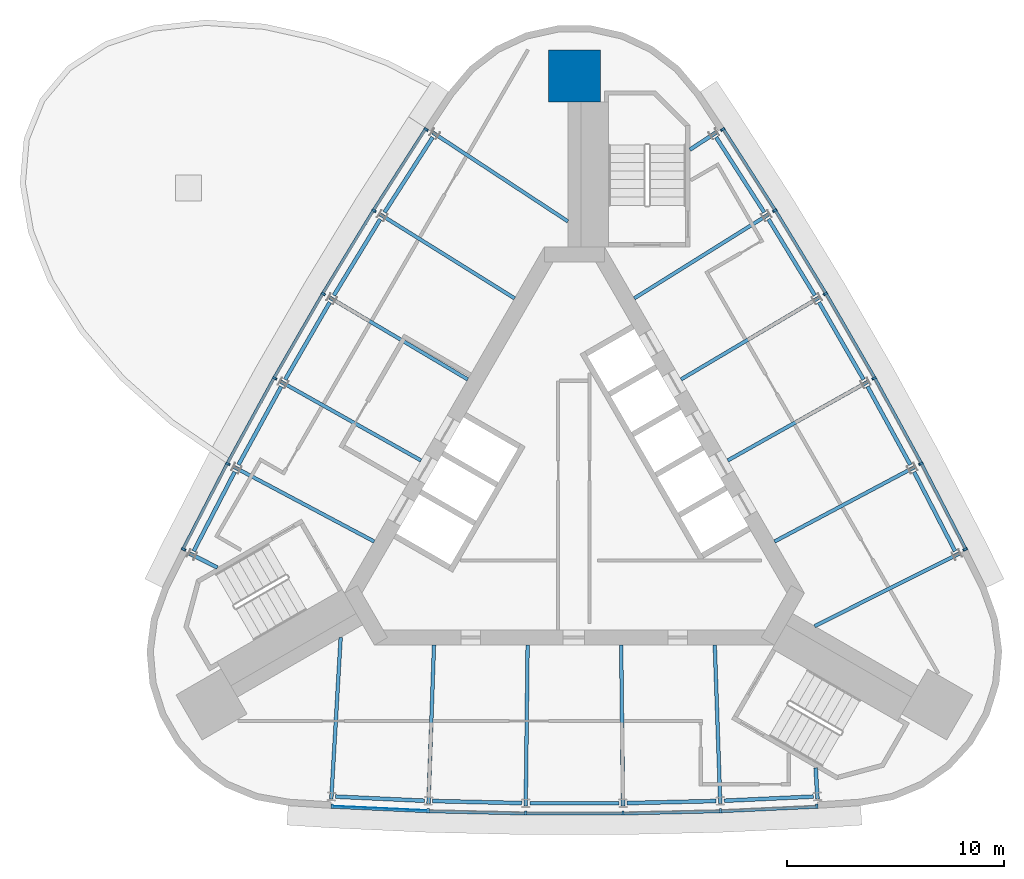
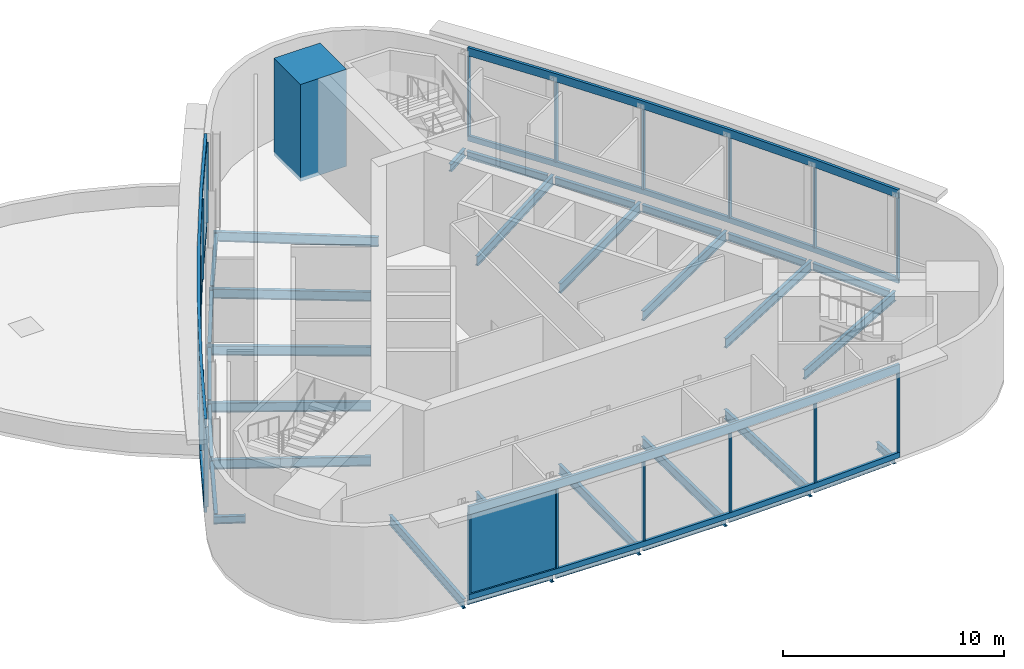
# One storey, part 2 of 8: 33 beams, 24 members, 1 column, 1 plate, 3 elements without a shape of their own.
"""IFC4 building model written with IfcOpenShell, lengths in metres."""

from ifc_helpers import new_model, si_unit, direction, frame, origin, origin_2d, place, context, subcontext, project, spatial, polyline, rectangle, i_section, outline, extrude, material, layer, layer_set, material_profile, profile_set, type_object, element, aggregate, save


model = new_model("IFC4")

# Units and contexts
model_context = context("Model", 3, precision=1e-05, world=origin(), true_north=direction((0.0, 1.0)))
body_context = subcontext(model_context, "Body", "Model", "MODEL_VIEW")
ifc_project = project(units=[si_unit("LENGTHUNIT", "METRE"), si_unit("AREAUNIT", "SQUARE_METRE"), si_unit("VOLUMEUNIT", "CUBIC_METRE"), si_unit("PLANEANGLEUNIT", "RADIAN"), si_unit("MASSUNIT", "GRAM", prefix="KILO")], contexts=[model_context])

# Site, building, storey
site_placement = place(None, origin())
site = spatial("IfcSite", under=ifc_project, at=site_placement, CompositionType="ELEMENT")
building_placement = place(site_placement, origin())
building = spatial("IfcBuilding", under=site, at=building_placement, Name="Noor Cloister Tower", CompositionType="ELEMENT")
storey_placement = place(building_placement, frame((0.0, 0.0, 274.199951171875)))
storey = spatial("IfcBuildingStorey", under=building, at=storey_placement, Name="L70", CompositionType="ELEMENT", Elevation=274.199951171875)

# Column
ifc_material_1 = material(Name="Concrete C60/75", Category="concrete")
ifc_material_profile_1 = material_profile(ifc_material_1, rectangle(XDim=2.39990234375, YDim=2.39990234375, at=origin_2d()), Name="RC 2400x2400")
ifc_profile_set_1 = profile_set([ifc_material_profile_1], Name="Concrete C60/75")
column_type = type_object("IfcColumnType", Name="Corner pier 2400 x 2400 C60/75", PredefinedType="COLUMN", material=ifc_profile_set_1)
column_placement = place(storey_placement, frame((0.0, 19.3349609375, -0.199951171875), z_axis=(0.0, 0.0, 1.0), x_axis=(0.0, 1.0, 0.0)))
element("IfcColumn", 1, at=column_placement, inside=storey, type_object=column_type, Name="Corner pier N L70", PredefinedType="COLUMN", context=body_context, shape_type="SweptSolid", body=[
    extrude(rectangle(XDim=2.39990234375, YDim=2.39990234375, at=origin_2d()), origin(), (0.0, 0.0, 1.0), 5.35009765625),
])

# Curtain wall, member
ifc_material_2 = material(Name="Aluminium 6063-T6 anodised", Category="aluminium")
curtain_wall_type = type_object("IfcCurtainWallType", Name="Full height glass wall, sky lobby and observation deck CW3", PredefinedType="NOTDEFINED", material=ifc_material_2)
curtain_wall_1_placement = place(storey_placement, origin())
curtain_wall_1 = element("IfcCurtainWall", 2, at=curtain_wall_1_placement, inside=storey, type_object=curtain_wall_type, Name="CW3 L70 NW run 1", PredefinedType="NOTDEFINED")
ifc_material_3 = material(Name="Aluminium 6063-T6 anodised", Category="aluminium")
member_type_1 = type_object("IfcMemberType", Name="Head transom CW3 450", PredefinedType="USERDEFINED", material=ifc_material_3)
member_1_placement = place(storey_placement, frame((0.0, 0.0, 4.699951171875)))
member_1 = element("IfcMember", 3, at=member_1_placement, type_object=member_type_1, Name="CW3 head transom", ObjectType="TRANSOM", PredefinedType="USERDEFINED", context=body_context, shape_type="SweptSolid", body=[
    extrude(outline(polyline([(-6.9013671875, 16.967529296875), (-9.32958984375, 13.178955078125), (-11.669189453125, 9.335205078125), (-13.919189453125, 5.438232421875), (-16.078125, 1.489990234375), (-18.14501953125, -2.507080078125), (-18.0205078125, -2.5712890625), (-15.95458984375, 1.42431640625), (-13.797119140625, 5.36962890625), (-11.548828125, 9.263916015625), (-9.210693359375, 13.10498046875), (-6.783447265625, 16.89208984375), (-6.9013671875, 16.967529296875)])), origin(), (0.0, 0.0, 1.0), 0.4501953125),
])

curtain_wall_2_placement = place(storey_placement, origin())
curtain_wall_2 = element("IfcCurtainWall", 4, at=curtain_wall_2_placement, inside=storey, type_object=curtain_wall_type, Name="CW3 L70 S run 2", PredefinedType="NOTDEFINED")
member_2_placement = place(storey_placement, frame((0.0, 0.0, 4.699951171875)))
member_2 = element("IfcMember", 5, at=member_2_placement, type_object=member_type_1, Name="CW3 head transom", ObjectType="TRANSOM", PredefinedType="USERDEFINED", context=body_context, shape_type="SweptSolid", body=[
    extrude(outline(polyline([(-11.24365234375, -14.46044921875), (-6.74853515625, -14.669189453125), (-2.25, -14.7734375), (2.25, -14.7734375), (6.74853515625, -14.669189453125), (11.24365234375, -14.46044921875), (11.2373046875, -14.320556640625), (6.74365234375, -14.529296875), (2.248291015625, -14.633544921875), (-2.248291015625, -14.633544921875), (-6.74365234375, -14.529296875), (-11.2373046875, -14.320556640625), (-11.24365234375, -14.46044921875)])), origin(), (0.0, 0.0, 1.0), 0.4501953125),
])

curtain_wall_3_placement = place(storey_placement, origin())
curtain_wall_3 = element("IfcCurtainWall", 6, at=curtain_wall_3_placement, inside=storey, type_object=curtain_wall_type, Name="CW3 L70 NE run 3", PredefinedType="NOTDEFINED")
member_3_placement = place(storey_placement, frame((0.0, 0.0, 4.699951171875)))
member_3 = element("IfcMember", 7, at=member_3_placement, type_object=member_type_1, Name="CW3 head transom", ObjectType="TRANSOM", PredefinedType="USERDEFINED", context=body_context, shape_type="SweptSolid", body=[
    extrude(outline(polyline([(18.14501953125, -2.507080078125), (16.078125, 1.489990234375), (13.919189453125, 5.438232421875), (11.669189453125, 9.335205078125), (9.32958984375, 13.178955078125), (6.9013671875, 16.967529296875), (6.783447265625, 16.89208984375), (9.210693359375, 13.10498046875), (11.548828125, 9.263916015625), (13.797119140625, 5.36962890625), (15.95458984375, 1.42431640625), (18.0205078125, -2.5712890625), (18.14501953125, -2.507080078125)])), origin(), (0.0, 0.0, 1.0), 0.4501953125),
])

# Member
ifc_material_4 = material(Name="Aluminium 6063-T6 anodised", Category="aluminium")
ifc_material_profile_2 = material_profile(ifc_material_4, rectangle(XDim=0.199951171875, YDim=0.10009765625, at=origin_2d()), Name="200 x 100 mullion")
ifc_profile_set_2 = profile_set([ifc_material_profile_2], Name="Aluminium 6063-T6 anodised")
member_type_2 = type_object("IfcMemberType", Name="Mullion CW3 100 x 200", PredefinedType="MULLION", material=ifc_profile_set_2)
member_4_placement = place(storey_placement, frame((-6.843994140625, 16.87158203125, 0.300048828125), z_axis=(0.0, 0.0, 1.0), x_axis=(0.841909869013, -0.539618172839, 0.0)))
member_4 = element("IfcMember", 8, at=member_4_placement, type_object=member_type_2, Name="CW3 mullion 1", PredefinedType="MULLION", context=body_context, shape_type="SweptSolid", body=[
    extrude(rectangle(XDim=0.199951171875, YDim=0.10009765625, at=origin_2d()), origin(), (0.0, 0.0, 1.0), 4.39990234375),
])

member_5_placement = place(storey_placement, frame((-9.24462890625, 13.1259765625, 0.300048828125), z_axis=(0.0, 0.0, 1.0), x_axis=(0.848110640126, -0.529819159813, 0.0)))
member_5 = element("IfcMember", 9, at=member_5_placement, type_object=member_type_2, Name="CW3 mullion 2", PredefinedType="MULLION", context=body_context, shape_type="SweptSolid", body=[
    extrude(rectangle(XDim=0.199951171875, YDim=0.10009765625, at=origin_2d()), origin(), (0.0, 0.0, 1.0), 4.39990234375),
])

member_6_placement = place(storey_placement, frame((-11.583251953125, 9.2841796875, 0.300048828125), z_axis=(0.0, 0.0, 1.0), x_axis=(0.860169218097, -0.510008741335, 0.0)))
member_6 = element("IfcMember", 10, at=member_6_placement, type_object=member_type_2, Name="CW3 mullion 3", PredefinedType="MULLION", context=body_context, shape_type="SweptSolid", body=[
    extrude(rectangle(XDim=0.199951171875, YDim=0.10009765625, at=origin_2d()), origin(), (0.0, 0.0, 1.0), 4.39990234375),
])

member_7_placement = place(storey_placement, frame((-13.83203125, 5.38916015625, 0.300048828125), z_axis=(0.0, 0.0, 1.0), x_axis=(0.871765135197, -0.489924023758, 0.0)))
member_7 = element("IfcMember", 11, at=member_7_placement, type_object=member_type_2, Name="CW3 mullion 4", PredefinedType="MULLION", context=body_context, shape_type="SweptSolid", body=[
    extrude(rectangle(XDim=0.199951171875, YDim=0.10009765625, at=origin_2d()), origin(), (0.0, 0.0, 1.0), 4.39990234375),
])

member_8_placement = place(storey_placement, frame((-15.98974609375, 1.443115234375, 0.300048828125), z_axis=(0.0, 0.0, 1.0), x_axis=(0.882892171873, -0.469575779662, 0.0)))
member_8 = element("IfcMember", 12, at=member_8_placement, type_object=member_type_2, Name="CW3 mullion 5", PredefinedType="MULLION", context=body_context, shape_type="SweptSolid", body=[
    extrude(rectangle(XDim=0.199951171875, YDim=0.10009765625, at=origin_2d()), origin(), (0.0, 0.0, 1.0), 4.39990234375),
])

member_9_placement = place(storey_placement, frame((-18.033203125, -2.508544921875, 0.300048828125), z_axis=(0.0, 0.0, 1.0), x_axis=(0.888277980529, -0.459306247842, 0.0)))
member_9 = element("IfcMember", 13, at=member_9_placement, type_object=member_type_2, Name="CW3 mullion 6", PredefinedType="MULLION", context=body_context, shape_type="SweptSolid", body=[
    extrude(rectangle(XDim=0.199951171875, YDim=0.10009765625, at=origin_2d()), origin(), (0.0, 0.0, 1.0), 4.39990234375),
])

member_10_placement = place(storey_placement, frame((-11.189208984375, -14.36279296875, 0.300048828125), z_axis=(0.0, 0.0, 1.0), x_axis=(0.046368111516, 0.998924420682, 0.0)))
member_10 = element("IfcMember", 14, at=member_10_placement, type_object=member_type_2, Name="CW3 mullion 1", PredefinedType="MULLION", context=body_context, shape_type="SweptSolid", body=[
    extrude(rectangle(XDim=0.199951171875, YDim=0.10009765625, at=origin_2d()), origin(), (0.0, 0.0, 1.0), 4.39990234375),
])

member_11_placement = place(storey_placement, frame((-6.7451171875, -14.569091796875, 0.300048828125), z_axis=(0.0, 0.0, 1.0), x_axis=(0.034781531747, 0.999394939476, 0.0)))
member_11 = element("IfcMember", 15, at=member_11_placement, type_object=member_type_2, Name="CW3 mullion 2", PredefinedType="MULLION", context=body_context, shape_type="SweptSolid", body=[
    extrude(rectangle(XDim=0.199951171875, YDim=0.10009765625, at=origin_2d()), origin(), (0.0, 0.0, 1.0), 4.39990234375),
])

member_12_placement = place(storey_placement, frame((-2.248779296875, -14.673583984375, 0.300048828125), z_axis=(0.0, 0.0, 1.0), x_axis=(0.011595917099, 0.999932765093, 0.0)))
member_12 = element("IfcMember", 16, at=member_12_placement, type_object=member_type_2, Name="CW3 mullion 3", PredefinedType="MULLION", context=body_context, shape_type="SweptSolid", body=[
    extrude(rectangle(XDim=0.199951171875, YDim=0.10009765625, at=origin_2d()), origin(), (0.0, 0.0, 1.0), 4.39990234375),
])

member_13_placement = place(storey_placement, frame((2.248779296875, -14.673583984375, 0.300048828125), z_axis=(0.0, 0.0, 1.0), x_axis=(-0.011595917099, 0.999932765093, 0.0)))
member_13 = element("IfcMember", 17, at=member_13_placement, type_object=member_type_2, Name="CW3 mullion 4", PredefinedType="MULLION", context=body_context, shape_type="SweptSolid", body=[
    extrude(rectangle(XDim=0.199951171875, YDim=0.10009765625, at=origin_2d()), origin(), (0.0, 0.0, 1.0), 4.39990234375),
])

member_14_placement = place(storey_placement, frame((6.7451171875, -14.569091796875, 0.300048828125), z_axis=(0.0, 0.0, 1.0), x_axis=(-0.034781531747, 0.999394939476, 0.0)))
member_14 = element("IfcMember", 18, at=member_14_placement, type_object=member_type_2, Name="CW3 mullion 5", PredefinedType="MULLION", context=body_context, shape_type="SweptSolid", body=[
    extrude(rectangle(XDim=0.199951171875, YDim=0.10009765625, at=origin_2d()), origin(), (0.0, 0.0, 1.0), 4.39990234375),
])

member_15_placement = place(storey_placement, frame((11.189208984375, -14.36279296875, 0.300048828125), z_axis=(0.0, 0.0, 1.0), x_axis=(-0.046368111516, 0.998924420682, 0.0)))
member_15 = element("IfcMember", 19, at=member_15_placement, type_object=member_type_2, Name="CW3 mullion 6", PredefinedType="MULLION", context=body_context, shape_type="SweptSolid", body=[
    extrude(rectangle(XDim=0.199951171875, YDim=0.10009765625, at=origin_2d()), origin(), (0.0, 0.0, 1.0), 4.39990234375),
])

member_16_placement = place(storey_placement, frame((18.033203125, -2.508544921875, 0.300048828125), z_axis=(0.0, 0.0, 1.0), x_axis=(-0.888277980529, -0.459306247842, 0.0)))
member_16 = element("IfcMember", 20, at=member_16_placement, type_object=member_type_2, Name="CW3 mullion 1", PredefinedType="MULLION", context=body_context, shape_type="SweptSolid", body=[
    extrude(rectangle(XDim=0.199951171875, YDim=0.10009765625, at=origin_2d()), origin(), (0.0, 0.0, 1.0), 4.39990234375),
])

member_17_placement = place(storey_placement, frame((15.98974609375, 1.443115234375, 0.300048828125), z_axis=(0.0, 0.0, 1.0), x_axis=(-0.882892171873, -0.469575779662, 0.0)))
member_17 = element("IfcMember", 21, at=member_17_placement, type_object=member_type_2, Name="CW3 mullion 2", PredefinedType="MULLION", context=body_context, shape_type="SweptSolid", body=[
    extrude(rectangle(XDim=0.199951171875, YDim=0.10009765625, at=origin_2d()), origin(), (0.0, 0.0, 1.0), 4.39990234375),
])

member_18_placement = place(storey_placement, frame((13.83203125, 5.38916015625, 0.300048828125), z_axis=(0.0, 0.0, 1.0), x_axis=(-0.871765135197, -0.489924023758, 0.0)))
member_18 = element("IfcMember", 22, at=member_18_placement, type_object=member_type_2, Name="CW3 mullion 3", PredefinedType="MULLION", context=body_context, shape_type="SweptSolid", body=[
    extrude(rectangle(XDim=0.199951171875, YDim=0.10009765625, at=origin_2d()), origin(), (0.0, 0.0, 1.0), 4.39990234375),
])

member_19_placement = place(storey_placement, frame((11.583251953125, 9.2841796875, 0.300048828125), z_axis=(0.0, 0.0, 1.0), x_axis=(-0.860169218097, -0.510008741335, 0.0)))
member_19 = element("IfcMember", 23, at=member_19_placement, type_object=member_type_2, Name="CW3 mullion 4", PredefinedType="MULLION", context=body_context, shape_type="SweptSolid", body=[
    extrude(rectangle(XDim=0.199951171875, YDim=0.10009765625, at=origin_2d()), origin(), (0.0, 0.0, 1.0), 4.39990234375),
])

member_20_placement = place(storey_placement, frame((9.24462890625, 13.1259765625, 0.300048828125), z_axis=(0.0, 0.0, 1.0), x_axis=(-0.848110640126, -0.529819159813, 0.0)))
member_20 = element("IfcMember", 24, at=member_20_placement, type_object=member_type_2, Name="CW3 mullion 5", PredefinedType="MULLION", context=body_context, shape_type="SweptSolid", body=[
    extrude(rectangle(XDim=0.199951171875, YDim=0.10009765625, at=origin_2d()), origin(), (0.0, 0.0, 1.0), 4.39990234375),
])

member_21_placement = place(storey_placement, frame((6.843994140625, 16.87158203125, 0.300048828125), z_axis=(0.0, 0.0, 1.0), x_axis=(-0.841909869013, -0.539618172839, 0.0)))
member_21 = element("IfcMember", 25, at=member_21_placement, type_object=member_type_2, Name="CW3 mullion 6", PredefinedType="MULLION", context=body_context, shape_type="SweptSolid", body=[
    extrude(rectangle(XDim=0.199951171875, YDim=0.10009765625, at=origin_2d()), origin(), (0.0, 0.0, 1.0), 4.39990234375),
])

# Beams
ifc_material_5 = material(Name="Steel ASTM A992 Gr 50", Category="steel")
ifc_material_profile_3 = material_profile(ifc_material_5, i_section(OverallWidth=0.177978515625, OverallDepth=0.406005859375, WebThickness=0.0078125, FlangeThickness=0.0126953125, FilletRadius=0.01025390625, at=origin_2d()), Name="W410x60")
ifc_profile_set_3 = profile_set([ifc_material_profile_3], Name="Steel ASTM A992 Gr 50")
beam_type_1 = type_object("IfcBeamType", Name="Radial beam W410x60", PredefinedType="BEAM", material=ifc_profile_set_3)
beam_1_placement = place(storey_placement, frame((-17.76025390625, -2.700439453125, -0.40283203125), z_axis=(0.893545786666, -0.448972078344, 0.0), x_axis=(0.448972078344, 0.893545786666, 0.0)))
element("IfcBeam", 26, at=beam_1_placement, inside=storey, type_object=beam_type_1, Name="Radial beam NW 06 L70", PredefinedType="BEAM", context=body_context, shape_type="SweptSolid", body=[
    extrude(i_section(OverallWidth=0.177978515625, OverallDepth=0.406005859375, WebThickness=0.0078125, FlangeThickness=0.0126953125, FilletRadius=0.01025390625, at=origin_2d()), origin(), (0.0, 0.0, 1.0), 1.443115234375),
])
beam_2_placement = place(storey_placement, frame((11.21875, -14.03076171875, -0.40283203125), z_axis=(-0.058017998858, 0.998315537197, 0.0), x_axis=(-0.998315537197, -0.058017998858, 0.0)))
element("IfcBeam", 27, at=beam_2_placement, inside=storey, type_object=beam_type_1, Name="Radial beam S 06 L70", PredefinedType="BEAM", context=body_context, shape_type="SweptSolid", body=[
    extrude(i_section(OverallWidth=0.177978515625, OverallDepth=0.406005859375, WebThickness=0.0078125, FlangeThickness=0.0126953125, FilletRadius=0.01025390625, at=origin_2d()), origin(), (0.0, 0.0, 1.0), 1.443359375),
])
beam_3_placement = place(storey_placement, frame((6.54150390625, 16.73095703125, -0.40283203125), z_axis=(-0.835598976558, -0.54933992243, 0.0), x_axis=(0.54933992243, -0.835598976558, 0.0)))
element("IfcBeam", 28, at=beam_3_placement, inside=storey, type_object=beam_type_1, Name="Radial beam NE 06 L70", PredefinedType="BEAM", context=body_context, shape_type="SweptSolid", body=[
    extrude(i_section(OverallWidth=0.177978515625, OverallDepth=0.406005859375, WebThickness=0.0078125, FlangeThickness=0.0126953125, FilletRadius=0.01025390625, at=origin_2d()), origin(), (0.0, 0.0, 1.0), 1.443115234375),
])
ifc_material_6 = material(Name="Steel ASTM A992 Gr 50", Category="steel")
ifc_material_profile_4 = material_profile(ifc_material_6, i_section(OverallWidth=0.166015625, OverallDepth=0.528076171875, WebThickness=0.009765625, FlangeThickness=0.013671875, FilletRadius=0.0126953125, at=origin_2d()), Name="W530x74")
ifc_profile_set_4 = profile_set([ifc_material_profile_4], Name="Steel ASTM A992 Gr 50")
beam_type_2 = type_object("IfcBeamType", Name="Radial beam W530x74", PredefinedType="BEAM", material=ifc_profile_set_4)
beam_4_placement = place(storey_placement, frame((-6.54150390625, 16.73095703125, -0.4638671875), z_axis=(0.835598314328, -0.549340929744, 0.0), x_axis=(0.549340929744, 0.835598314328, 0.0)))
element("IfcBeam", 29, at=beam_4_placement, inside=storey, type_object=beam_type_2, Name="Radial beam NW 01 L70", PredefinedType="BEAM", context=body_context, shape_type="SweptSolid", body=[
    extrude(i_section(OverallWidth=0.166015625, OverallDepth=0.528076171875, WebThickness=0.009765625, FlangeThickness=0.013671875, FilletRadius=0.0126953125, at=origin_2d()), origin(), (0.0, 0.0, 1.0), 7.469482421875),
])
beam_5_placement = place(storey_placement, frame((-8.96435546875, 12.950927734375, -0.4638671875), z_axis=(0.848101414082, -0.529833928163, 0.0), x_axis=(0.529833928163, 0.848101414082, 0.0)))
element("IfcBeam", 30, at=beam_5_placement, inside=storey, type_object=beam_type_2, Name="Radial beam NW 02 L70", PredefinedType="BEAM", context=body_context, shape_type="SweptSolid", body=[
    extrude(i_section(OverallWidth=0.166015625, OverallDepth=0.528076171875, WebThickness=0.009765625, FlangeThickness=0.013671875, FilletRadius=0.0126953125, at=origin_2d()), origin(), (0.0, 0.0, 1.0), 7.31494140625),
])
for number, where, z_axis, x_axis, name in (
    (31, (-11.298828125, 9.11572265625, -0.4638671875), (0.860162619342, -0.510019870482, 0.0), (0.510019870482, 0.860162619342, 0.0), "Radial beam NW 03 L70"),
    (32, (-13.5439453125, 5.227294921875, -0.4638671875), (0.871770669318, -0.489914176277, 0.0), (0.489914176277, 0.871770669318, 0.0), "Radial beam NW 04 L70"),
):
    element("IfcBeam", number, at=place(storey_placement, frame(where, z_axis=z_axis, x_axis=x_axis)), inside=storey, type_object=beam_type_2, Name=name, PredefinedType="BEAM", context=body_context, shape_type="SweptSolid", body=[
        extrude(i_section(OverallWidth=0.166015625, OverallDepth=0.528076171875, WebThickness=0.009765625, FlangeThickness=0.013671875, FilletRadius=0.0126953125, at=origin_2d()), origin(), (0.0, 0.0, 1.0), 7.415283203125),
    ])
beam_6_placement = place(storey_placement, frame((-15.697998046875, 1.287841796875, -0.4638671875), z_axis=(0.882903889785, -0.469553747085, 0.0), x_axis=(0.469553747085, 0.882903889785, 0.0)))
element("IfcBeam", 33, at=beam_6_placement, inside=storey, type_object=beam_type_2, Name="Radial beam NW 05 L70", PredefinedType="BEAM", context=body_context, shape_type="SweptSolid", body=[
    extrude(i_section(OverallWidth=0.166015625, OverallDepth=0.528076171875, WebThickness=0.009765625, FlangeThickness=0.013671875, FilletRadius=0.0126953125, at=origin_2d()), origin(), (0.0, 0.0, 1.0), 7.31494140625),
])
beam_7_placement = place(storey_placement, frame((-11.21875, -14.03076171875, -0.4638671875), z_axis=(0.057949858057, 0.998319494927, 0.0), x_axis=(-0.998319494927, 0.057949858057, 0.0)))
element("IfcBeam", 34, at=beam_7_placement, inside=storey, type_object=beam_type_2, Name="Radial beam S 01 L70", PredefinedType="BEAM", context=body_context, shape_type="SweptSolid", body=[
    extrude(i_section(OverallWidth=0.166015625, OverallDepth=0.528076171875, WebThickness=0.009765625, FlangeThickness=0.013671875, FilletRadius=0.0126953125, at=origin_2d()), origin(), (0.0, 0.0, 1.0), 7.469482421875),
])
beam_8_placement = place(storey_placement, frame((-6.733642578125, -14.23876953125, -0.4638671875), z_axis=(0.034777240267, 0.999395088821, 0.0), x_axis=(-0.999395088821, 0.034777240267, 0.0)))
element("IfcBeam", 35, at=beam_8_placement, inside=storey, type_object=beam_type_2, Name="Radial beam S 02 L70", PredefinedType="BEAM", context=body_context, shape_type="SweptSolid", body=[
    extrude(i_section(OverallWidth=0.166015625, OverallDepth=0.528076171875, WebThickness=0.009765625, FlangeThickness=0.013671875, FilletRadius=0.0126953125, at=origin_2d()), origin(), (0.0, 0.0, 1.0), 7.31494140625),
])
for number, where, z_axis, x_axis, name in (
    (36, (-2.244873046875, -14.343017578125, -0.4638671875), (0.011589225268, 0.999932842674, 0.0), (-0.999932842674, 0.011589225268, 0.0), "Radial beam S 03 L70"),
    (37, (2.244873046875, -14.343017578125, -0.4638671875), (-0.011589225268, 0.999932842674, 0.0), (-0.999932842674, -0.011589225268, 0.0), "Radial beam S 04 L70"),
):
    element("IfcBeam", number, at=place(storey_placement, frame(where, z_axis=z_axis, x_axis=x_axis)), inside=storey, type_object=beam_type_2, Name=name, PredefinedType="BEAM", context=body_context, shape_type="SweptSolid", body=[
        extrude(i_section(OverallWidth=0.166015625, OverallDepth=0.528076171875, WebThickness=0.009765625, FlangeThickness=0.013671875, FilletRadius=0.0126953125, at=origin_2d()), origin(), (0.0, 0.0, 1.0), 7.415283203125),
    ])
beam_9_placement = place(storey_placement, frame((6.733642578125, -14.23876953125, -0.4638671875), z_axis=(-0.034777240267, 0.999395088821, 0.0), x_axis=(-0.999395088821, -0.034777240267, 0.0)))
element("IfcBeam", 38, at=beam_9_placement, inside=storey, type_object=beam_type_2, Name="Radial beam S 05 L70", PredefinedType="BEAM", context=body_context, shape_type="SweptSolid", body=[
    extrude(i_section(OverallWidth=0.166015625, OverallDepth=0.528076171875, WebThickness=0.009765625, FlangeThickness=0.013671875, FilletRadius=0.0126953125, at=origin_2d()), origin(), (0.0, 0.0, 1.0), 7.31494140625),
])
beam_10_placement = place(storey_placement, frame((17.76025390625, -2.700439453125, -0.4638671875), z_axis=(-0.893549510388, -0.448964667302, 0.0), x_axis=(0.448964667302, -0.893549510388, 0.0)))
element("IfcBeam", 39, at=beam_10_placement, inside=storey, type_object=beam_type_2, Name="Radial beam NE 01 L70", PredefinedType="BEAM", context=body_context, shape_type="SweptSolid", body=[
    extrude(i_section(OverallWidth=0.166015625, OverallDepth=0.528076171875, WebThickness=0.009765625, FlangeThickness=0.013671875, FilletRadius=0.0126953125, at=origin_2d()), origin(), (0.0, 0.0, 1.0), 7.469482421875),
])
beam_11_placement = place(storey_placement, frame((15.697998046875, 1.287841796875, -0.4638671875), z_axis=(-0.882903889785, -0.469553747085, 0.0), x_axis=(0.469553747085, -0.882903889785, 0.0)))
element("IfcBeam", 40, at=beam_11_placement, inside=storey, type_object=beam_type_2, Name="Radial beam NE 02 L70", PredefinedType="BEAM", context=body_context, shape_type="SweptSolid", body=[
    extrude(i_section(OverallWidth=0.166015625, OverallDepth=0.528076171875, WebThickness=0.009765625, FlangeThickness=0.013671875, FilletRadius=0.0126953125, at=origin_2d()), origin(), (0.0, 0.0, 1.0), 7.31494140625),
])
for number, where, z_axis, x_axis, name in (
    (41, (13.5439453125, 5.227294921875, -0.4638671875), (-0.871770669318, -0.489914176277, 0.0), (0.489914176277, -0.871770669318, 0.0), "Radial beam NE 03 L70"),
    (42, (11.298828125, 9.11572265625, -0.4638671875), (-0.860162619342, -0.510019870482, 0.0), (0.510019870482, -0.860162619342, 0.0), "Radial beam NE 04 L70"),
):
    element("IfcBeam", number, at=place(storey_placement, frame(where, z_axis=z_axis, x_axis=x_axis)), inside=storey, type_object=beam_type_2, Name=name, PredefinedType="BEAM", context=body_context, shape_type="SweptSolid", body=[
        extrude(i_section(OverallWidth=0.166015625, OverallDepth=0.528076171875, WebThickness=0.009765625, FlangeThickness=0.013671875, FilletRadius=0.0126953125, at=origin_2d()), origin(), (0.0, 0.0, 1.0), 7.415283203125),
    ])
beam_12_placement = place(storey_placement, frame((8.96435546875, 12.950927734375, -0.4638671875), z_axis=(-0.848101414082, -0.529833928163, 0.0), x_axis=(0.529833928163, -0.848101414082, 0.0)))
element("IfcBeam", 43, at=beam_12_placement, inside=storey, type_object=beam_type_2, Name="Radial beam NE 05 L70", PredefinedType="BEAM", context=body_context, shape_type="SweptSolid", body=[
    extrude(i_section(OverallWidth=0.166015625, OverallDepth=0.528076171875, WebThickness=0.009765625, FlangeThickness=0.013671875, FilletRadius=0.0126953125, at=origin_2d()), origin(), (0.0, 0.0, 1.0), 7.31494140625),
])

# Member
ifc_material_7 = material(Name="Aluminium 6063-T6 anodised", Category="aluminium")
member_type_3 = type_object("IfcMemberType", Name="Sill transom CW3 300", PredefinedType="USERDEFINED", material=ifc_material_7)
member_22_placement = place(storey_placement, origin())
member_22 = element("IfcMember", 44, at=member_22_placement, type_object=member_type_3, Name="CW3 sill transom", ObjectType="TRANSOM", PredefinedType="USERDEFINED", context=body_context, shape_type="SweptSolid", body=[
    extrude(outline(polyline([(-6.9013671875, 16.967529296875), (-9.32958984375, 13.178955078125), (-11.669189453125, 9.335205078125), (-13.919189453125, 5.438232421875), (-16.078125, 1.489990234375), (-18.14501953125, -2.507080078125), (-18.0205078125, -2.5712890625), (-15.95458984375, 1.42431640625), (-13.797119140625, 5.36962890625), (-11.548828125, 9.263916015625), (-9.210693359375, 13.10498046875), (-6.783447265625, 16.89208984375), (-6.9013671875, 16.967529296875)])), origin(), (0.0, 0.0, 1.0), 0.300048828125),
])

aggregate(curtain_wall_1, [member_4, member_5, member_6, member_7, member_8, member_9, member_22, member_1])

member_23_placement = place(storey_placement, origin())
member_23 = element("IfcMember", 45, at=member_23_placement, type_object=member_type_3, Name="CW3 sill transom", ObjectType="TRANSOM", PredefinedType="USERDEFINED", context=body_context, shape_type="SweptSolid", body=[
    extrude(outline(polyline([(-11.24365234375, -14.46044921875), (-6.74853515625, -14.669189453125), (-2.25, -14.7734375), (2.25, -14.7734375), (6.74853515625, -14.669189453125), (11.24365234375, -14.46044921875), (11.2373046875, -14.320556640625), (6.74365234375, -14.529296875), (2.248291015625, -14.633544921875), (-2.248291015625, -14.633544921875), (-6.74365234375, -14.529296875), (-11.2373046875, -14.320556640625), (-11.24365234375, -14.46044921875)])), origin(), (0.0, 0.0, 1.0), 0.300048828125),
])

member_24_placement = place(storey_placement, origin())
member_24 = element("IfcMember", 46, at=member_24_placement, type_object=member_type_3, Name="CW3 sill transom", ObjectType="TRANSOM", PredefinedType="USERDEFINED", context=body_context, shape_type="SweptSolid", body=[
    extrude(outline(polyline([(18.14501953125, -2.507080078125), (16.078125, 1.489990234375), (13.919189453125, 5.438232421875), (11.669189453125, 9.335205078125), (9.32958984375, 13.178955078125), (6.9013671875, 16.967529296875), (6.783447265625, 16.89208984375), (9.210693359375, 13.10498046875), (11.548828125, 9.263916015625), (13.797119140625, 5.36962890625), (15.95458984375, 1.42431640625), (18.0205078125, -2.5712890625), (18.14501953125, -2.507080078125)])), origin(), (0.0, 0.0, 1.0), 0.300048828125),
])

aggregate(curtain_wall_3, [member_16, member_17, member_18, member_19, member_20, member_21, member_24, member_3])

# Beams
ifc_material_8 = material(Name="Steel ASTM A992 Gr 50", Category="steel")
ifc_material_profile_5 = material_profile(ifc_material_8, i_section(OverallWidth=0.177978515625, OverallDepth=0.406005859375, WebThickness=0.0078125, FlangeThickness=0.0126953125, FilletRadius=0.01025390625, at=origin_2d()), Name="W410x60")
ifc_profile_set_5 = profile_set([ifc_material_profile_5], Name="Steel ASTM A992 Gr 50")
beam_type_3 = type_object("IfcBeamType", Name="Spandrel beam W410x60", PredefinedType="SPANDREL", material=ifc_profile_set_5)
for number, where, z_axis, x_axis, name in (
    (47, (-6.541748046875, 16.50927734375, -0.40283203125), (-0.539635932385, -0.841898485851, 0.0), (0.841898485851, -0.539635932385, 0.0), "Spandrel beam NW 01 L70"),
    (48, (-8.95947265625, 12.729248046875, -0.40283203125), (-0.51992813058, -0.85421000874, 0.0), (0.85421000874, -0.51992813058, 0.0), "Spandrel beam NW 02 L70"),
    (49, (-11.288818359375, 8.89404296875, -0.40283203125), (-0.500004836318, -0.866022611517, 0.0), (0.866022611517, -0.500004836318, 0.0), "Spandrel beam NW 03 L70"),
    (50, (-13.52880859375, 5.006103515625, -0.40283203125), (-0.479770251557, -0.87739415642, 0.0), (0.87739415642, -0.479770251557, 0.0), "Spandrel beam NW 04 L70"),
):
    element("IfcBeam", number, at=place(storey_placement, frame(where, z_axis=z_axis, x_axis=x_axis)), inside=storey, type_object=beam_type_3, Name=name, PredefinedType="SPANDREL", context=body_context, shape_type="SweptSolid", body=[
        extrude(i_section(OverallWidth=0.177978515625, OverallDepth=0.406005859375, WebThickness=0.0078125, FlangeThickness=0.0126953125, FilletRadius=0.01025390625, at=origin_2d()), origin(), (0.0, 0.0, 1.0), 4.1162109375),
    ])
beam_13_placement = place(storey_placement, frame((-15.677734375, 1.067138671875, -0.40283203125), z_axis=(-0.459295448048, -0.888283564749, 0.0), x_axis=(0.888283564749, -0.459295448048, 0.0)))
element("IfcBeam", 51, at=beam_13_placement, inside=storey, type_object=beam_type_3, Name="Spandrel beam NW 05 L70", PredefinedType="SPANDREL", context=body_context, shape_type="SweptSolid", body=[
    extrude(i_section(OverallWidth=0.177978515625, OverallDepth=0.406005859375, WebThickness=0.0078125, FlangeThickness=0.0126953125, FilletRadius=0.01025390625, at=origin_2d()), origin(), (0.0, 0.0, 1.0), 4.116455078125),
])
for number, where, z_axis, x_axis, name in (
    (52, (-11.026611328125, -13.919921875, -0.40283203125), (0.998923795857, -0.046381570381, 0.0), (0.046381570381, 0.998923795857, 0.0), "Spandrel beam S 01 L70"),
    (53, (-6.5439453125, -14.123779296875, -0.40283203125), (0.999731038099, -0.023191624794, 0.0), (0.023191624794, 0.999731038099, 0.0), "Spandrel beam S 02 L70"),
    (54, (-2.05810546875, -14.2236328125, -0.40283203125), (1.0, 0.0, 0.0), (0.0, 1.0, 0.0), "Spandrel beam S 03 L70"),
    (55, (2.428955078125, -14.21923828125, -0.40283203125), (0.999731038099, 0.023191624794, 0.0), (-0.023191624794, 0.999731038099, 0.0), "Spandrel beam S 04 L70"),
    (56, (6.914794921875, -14.11083984375, -0.40283203125), (0.998923795857, 0.046381570381, 0.0), (-0.046381570381, 0.998923795857, 0.0), "Spandrel beam S 05 L70"),
):
    element("IfcBeam", number, at=place(storey_placement, frame(where, z_axis=z_axis, x_axis=x_axis)), inside=storey, type_object=beam_type_3, Name=name, PredefinedType="SPANDREL", context=body_context, shape_type="SweptSolid", body=[
        extrude(i_section(OverallWidth=0.177978515625, OverallDepth=0.406005859375, WebThickness=0.0078125, FlangeThickness=0.0126953125, FilletRadius=0.01025390625, at=origin_2d()), origin(), (0.0, 0.0, 1.0), 4.1162109375),
    ])
beam_14_placement = place(storey_placement, frame((17.568359375, -2.58935546875, -0.40283203125), z_axis=(-0.459295448048, 0.888283564749, 0.0), x_axis=(-0.888283564749, -0.459295448048, 0.0)))
element("IfcBeam", 57, at=beam_14_placement, inside=storey, type_object=beam_type_3, Name="Spandrel beam NE 01 L70", PredefinedType="SPANDREL", context=body_context, shape_type="SweptSolid", body=[
    extrude(i_section(OverallWidth=0.177978515625, OverallDepth=0.406005859375, WebThickness=0.0078125, FlangeThickness=0.0126953125, FilletRadius=0.01025390625, at=origin_2d()), origin(), (0.0, 0.0, 1.0), 4.116455078125),
])
for number, where, z_axis, x_axis, name in (
    (58, (15.503662109375, 1.39453125, -0.40283203125), (-0.479770251557, 0.87739415642, 0.0), (-0.87739415642, -0.479770251557, 0.0), "Spandrel beam NE 02 L70"),
    (59, (13.346923828125, 5.329345703125, -0.40283203125), (-0.500004836318, 0.866022611517, 0.0), (-0.866022611517, -0.500004836318, 0.0), "Spandrel beam NE 03 L70"),
    (60, (11.099609375, 9.213134765625, -0.40283203125), (-0.51992813058, 0.85421000874, 0.0), (-0.85421000874, -0.51992813058, 0.0), "Spandrel beam NE 04 L70"),
    (61, (8.762939453125, 13.0439453125, -0.40283203125), (-0.539635932385, 0.841898485851, 0.0), (-0.841898485851, -0.539635932385, 0.0), "Spandrel beam NE 05 L70"),
):
    element("IfcBeam", number, at=place(storey_placement, frame(where, z_axis=z_axis, x_axis=x_axis)), inside=storey, type_object=beam_type_3, Name=name, PredefinedType="SPANDREL", context=body_context, shape_type="SweptSolid", body=[
        extrude(i_section(OverallWidth=0.177978515625, OverallDepth=0.406005859375, WebThickness=0.0078125, FlangeThickness=0.0126953125, FilletRadius=0.01025390625, at=origin_2d()), origin(), (0.0, 0.0, 1.0), 4.1162109375),
    ])

# Plate
ifc_material_9 = material(Name="Clear laminated glass 2 x 8 mm", Category="glass")
ifc_layer = layer(ifc_material_9, 0.028076171875)
ifc_layer_set = layer_set([ifc_layer], Name="Glass panel CW3")
plate_type = type_object("IfcPlateType", Name="Glass panel CW3", PredefinedType="CURTAIN_PANEL", material=ifc_layer_set)
plate_placement = place(storey_placement, frame((-8.967041015625, -14.466064453125, 0.2900390625), z_axis=(0.0, 0.0, 1.0), x_axis=(0.998924420682, -0.046368111516, 0.0)))
plate = element("IfcPlate", 62, at=plate_placement, type_object=plate_type, Name="CW3 glass panel 1", PredefinedType="CURTAIN_PANEL", context=body_context, shape_type="SweptSolid", body=[
    extrude(rectangle(XDim=4.36865234375, YDim=0.028076171875, at=origin_2d()), origin(), (0.0, 0.0, 1.0), 4.419921875),
])

aggregate(curtain_wall_2, [member_10, member_11, member_12, member_13, member_14, member_15, member_23, member_2, plate])

save(model, "model.ifc")
